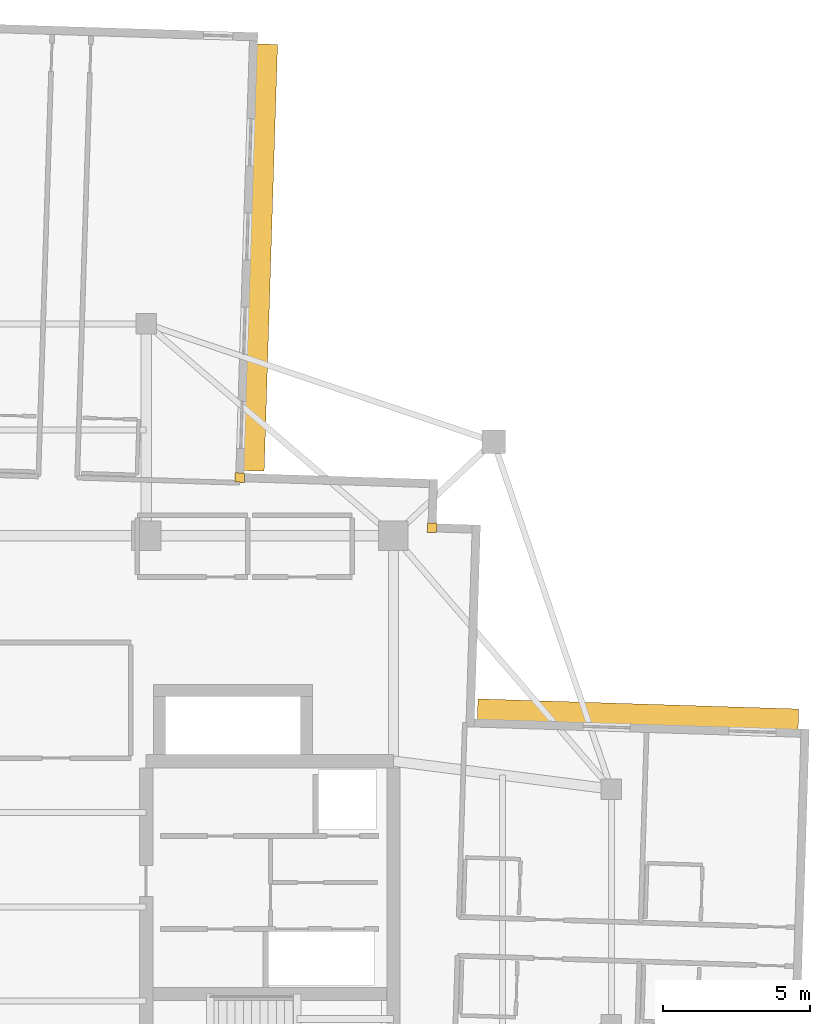
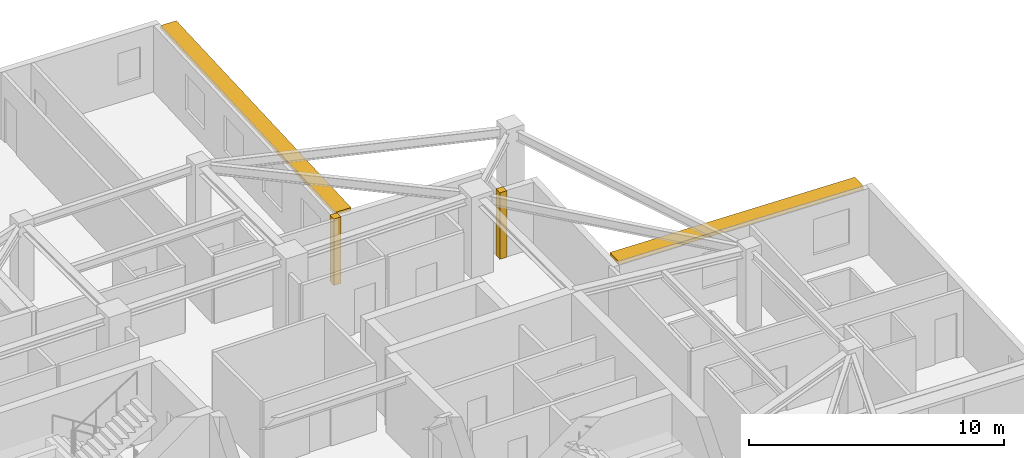
# One storey, part 13 of 13: 2 coverings, 2 shading devices.
"""IFC4 building model written with IfcOpenShell, lengths in metres."""

import ifcopenshell
import ifcopenshell.guid

model = None  # the IFC model being written
_history = None  # IfcOwnerHistory: only IFC2X3 demands one
_inside = {}  # id of a spatial element -> (the spatial element, [elements in it])
_under = {}  # id of a project, library or spatial element -> (it, [spatial elements below it])
_declared = {}  # id of a project -> (the project, [libraries it declares])
_typed = {}  # id of a type object -> (the type object, [elements of that type])
_made_of = {}  # id of a material, layer set ... -> (it, [elements and type objects made of it])


def new_model(schema):
    """Start an empty IFC model of exactly this schema.

    Asked for "IFC4X3", IfcOpenShell would pick the latest addendum, in which some entities
    have other attributes; the version numbers below select the first issue.
    IFC2X3 requires an IfcOwnerHistory on every rooted entity: one is made here for all.
    """
    global model, _history
    if schema == "IFC4X3":
        model = ifcopenshell.file(schema_version=(4, 3, 0, 0))
    else:
        model = ifcopenshell.file(schema=schema)
    _inside.clear()
    _under.clear()
    _declared.clear()
    _typed.clear()
    _made_of.clear()
    _history = None
    if model.schema == "IFC2X3":
        org = make("IfcOrganization", Name="unknown")
        user = make(
            "IfcPersonAndOrganization",
            ThePerson=make("IfcPerson", FamilyName="unknown"),
            TheOrganization=org,
        )
        app = make(
            "IfcApplication",
            ApplicationDeveloper=org,
            Version="unknown",
            ApplicationFullName="unknown",
            ApplicationIdentifier="unknown",
        )
        _history = make(
            "IfcOwnerHistory",
            OwningUser=user,
            OwningApplication=app,
            ChangeAction="ADDED",
            CreationDate=0,
        )
    return model


def make(cls, **values):
    """One entity of the class cls with the attributes given. An attribute that is None is left unset."""
    return model.create_entity(
        cls, **{name: value for name, value in values.items() if value is not None}
    )


def rooted(cls, **values):
    """An entity with a GlobalId (a new one), such as an element, a storey or a relation."""
    return make(cls, GlobalId=ifcopenshell.guid.new(), OwnerHistory=_history, **values)


def si_unit(unit_type, name, prefix=None):
    """IfcSIUnit, for example si_unit("LENGTHUNIT", "METRE", prefix="MILLI")."""
    return make("IfcSIUnit", UnitType=unit_type, Prefix=prefix, Name=name)


def assignment(units):
    """IfcUnitAssignment: the units of a project."""
    return None if units is None else make("IfcUnitAssignment", Units=units)


def point(xyz):
    """IfcCartesianPoint."""
    return None if xyz is None else make("IfcCartesianPoint", Coordinates=xyz)


def direction(xyz):
    """IfcDirection."""
    return None if xyz is None else make("IfcDirection", DirectionRatios=xyz)


def frame(location, z_axis=None, x_axis=None):
    """IfcAxis2Placement3D, a coordinate frame: its origin and axes. An axis left out is left unset."""
    return make(
        "IfcAxis2Placement3D",
        Location=point(location),
        Axis=direction(z_axis),
        RefDirection=direction(x_axis),
    )


def frame_2d(location, x_axis=None):
    """IfcAxis2Placement2D, a coordinate frame in the plane: its origin and x axis."""
    return make(
        "IfcAxis2Placement2D", Location=point(location), RefDirection=direction(x_axis)
    )


def origin():
    """The frame at (0, 0, 0) with its axes left unset."""
    return frame((0.0, 0.0, 0.0))


def origin_2d():
    """The frame at (0, 0) in the plane with its x axis left unset."""
    return frame_2d((0.0, 0.0))


def place(relative_to, where):
    """IfcLocalPlacement: puts the frame where relative to a parent placement (None: the world)."""
    return make(
        "IfcLocalPlacement", PlacementRelTo=relative_to, RelativePlacement=where
    )


def context(
    kind, dimensions, precision=None, world=None, true_north=None, identifier=None
):
    """IfcGeometricRepresentationContext, for example the 3D "Model" context."""
    return make(
        "IfcGeometricRepresentationContext",
        ContextIdentifier=identifier,
        ContextType=kind,
        CoordinateSpaceDimension=dimensions,
        Precision=precision,
        WorldCoordinateSystem=world,
        TrueNorth=true_north,
    )


def subcontext(parent, identifier, kind, view, scale=None):
    """IfcGeometricRepresentationSubContext, for example "Body" below "Model"."""
    return make(
        "IfcGeometricRepresentationSubContext",
        ContextIdentifier=identifier,
        ContextType=kind,
        ParentContext=parent,
        TargetScale=scale,
        TargetView=view,
    )


def project(units=None, contexts=None):
    """IfcProject with its units and contexts."""
    return rooted(
        "IfcProject",
        Name="project",
        RepresentationContexts=contexts,
        UnitsInContext=assignment(units),
    )


def spatial(cls, under=None, at=None, **own):
    """A site, building, storey or space (cls), placed at a placement, below another one or the project."""
    s = rooted(cls, ObjectPlacement=at, **own)
    if under is not None:
        _under.setdefault(under.id(), (under, []))[1].append(s)
    return s


def profile(cls, at=None, kind="AREA", **sizes):
    """A parametric profile (cls). Its sizes go by their IFC names, for example OverallWidth=200.0."""
    return make(cls, ProfileType=kind, Position=at, **sizes)


def rectangle(**sizes):
    """IfcRectangleProfileDef."""
    return profile("IfcRectangleProfileDef", **sizes)


def extrude(swept, where, along, depth):
    """IfcExtrudedAreaSolid: the profile swept, set in the frame where, extruded along a direction by depth."""
    return make(
        "IfcExtrudedAreaSolid",
        SweptArea=swept,
        Position=where,
        ExtrudedDirection=direction(along),
        Depth=depth,
    )


def shape(context_of_items, identifier, shape_type, items):
    """IfcShapeRepresentation: the items that make up one representation, for example the "Body"."""
    return make(
        "IfcShapeRepresentation",
        ContextOfItems=context_of_items,
        RepresentationIdentifier=identifier,
        RepresentationType=shape_type,
        Items=items,
    )


def material(Name=None, Category=None):
    """IfcMaterial."""
    return make("IfcMaterial", Name=Name, Category=Category)


def layer(
    of_material, thickness, ventilated=None, Name=None, Category=None, Priority=None
):
    """IfcMaterialLayer: one layer of a wall or slab, of a material (None: an air gap)."""
    return make(
        "IfcMaterialLayer",
        Material=of_material,
        LayerThickness=thickness,
        IsVentilated=ventilated,
        Name=Name,
        Category=Category,
        Priority=Priority,
    )


def layer_set(layers, Name=None):
    """IfcMaterialLayerSet."""
    return make("IfcMaterialLayerSet", MaterialLayers=layers, LayerSetName=Name)


def made_of(thing, what):
    """Note that an element or type object is made of a material, layer set ...; save() writes the relation."""
    if what is not None:
        _made_of.setdefault(what.id(), (what, []))[1].append(thing)
    return thing


def type_object(cls, material=None, **own):
    """A type object (cls), such as IfcWallType, which elements share."""
    return made_of(rooted(cls, **own), material)


def element(
    cls,
    number,
    at=None,
    inside=None,
    cuts=None,
    type_object=None,
    material=None,
    context=None,
    identifier="Body",
    shape_type=None,
    held_by="IfcProductDefinitionShape",
    body=None,
    shapes=None,
    **own,
):
    """One element of the class cls, such as IfcWall. Its Tag is "e" and its number.

    at: its placement. inside: the storey or other place that contains it. cuts: it is an
    opening in that element (IfcRelVoidsElement). A single representation is given by context,
    identifier, shape_type and body (its items); several are given by shapes. held_by: the class
    of the entity that holds the representations. save() writes the other relations.
    """
    e = rooted(cls, Tag="e%d" % number, ObjectPlacement=at, **own)
    if body is not None:
        shapes = [shape(context, identifier, shape_type, body)]
    if shapes is not None:
        e.Representation = make(held_by, Representations=shapes)
    if inside is not None:
        _inside.setdefault(inside.id(), (inside, []))[1].append(e)
    if cuts is not None:
        rooted(
            "IfcRelVoidsElement", RelatingBuildingElement=cuts, RelatedOpeningElement=e
        )
    if type_object is not None:
        _typed.setdefault(type_object.id(), (type_object, []))[1].append(e)
    return made_of(e, material)


def aggregate(whole, parts):
    """IfcRelAggregates: a whole, such as a stair, and the parts it consists of."""
    return rooted("IfcRelAggregates", RelatingObject=whole, RelatedObjects=parts)


def save(model, path):
    """Write the relations noted so far, then the file.

    IfcRelAggregates (storeys below a building ...), IfcRelContainedInSpatialStructure (elements
    in a storey), IfcRelDefinesByType, IfcRelAssociatesMaterial and IfcRelDeclares: one each for
    every whole, place, type object, material and project.
    """
    for whole, parts in _under.values():
        aggregate(whole, parts)
    for where, things in _inside.values():
        rooted(
            "IfcRelContainedInSpatialStructure",
            RelatedElements=things,
            RelatingStructure=where,
        )
    for kind, things in _typed.values():
        rooted("IfcRelDefinesByType", RelatedObjects=things, RelatingType=kind)
    for what, things in _made_of.values():
        rooted("IfcRelAssociatesMaterial", RelatedObjects=things, RelatingMaterial=what)
    for by, libraries in _declared.values():
        rooted("IfcRelDeclares", RelatingContext=by, RelatedDefinitions=libraries)
    model.write(path)


model = new_model("IFC4")

# Units and contexts
model_context = context("Model", 3, precision=1e-05, world=origin(), true_north=direction((0.0, 1.0)))
body_context = subcontext(model_context, "Body", "Model", "MODEL_VIEW")
ifc_project = project(units=[si_unit("LENGTHUNIT", "METRE"), si_unit("AREAUNIT", "SQUARE_METRE"), si_unit("VOLUMEUNIT", "CUBIC_METRE"), si_unit("PLANEANGLEUNIT", "RADIAN"), si_unit("MASSUNIT", "GRAM", prefix="KILO")], contexts=[model_context])

# Site, building, storey
site_placement = place(None, origin())
site = spatial("IfcSite", under=ifc_project, at=site_placement, CompositionType="ELEMENT")
building_placement = place(site_placement, origin())
building = spatial("IfcBuilding", under=site, at=building_placement, Name="Qingluan Cross Belvedere", CompositionType="ELEMENT")
storey_placement = place(building_placement, frame((0.0, 0.0, 257.699951171875)))
storey = spatial("IfcBuildingStorey", under=building, at=storey_placement, Name="L64", CompositionType="ELEMENT", Elevation=257.699951171875)

# Coverings
ifc_material_1 = material(Name="Precast concrete C45", Category="concrete")
ifc_layer_1 = layer(ifc_material_1, 0.1201171875, Name="ConcreteSpandrelCladding_120")
ifc_layer_set_1 = layer_set([ifc_layer_1], Name="Precast concrete C45")
covering_type = type_object("IfcCoveringType", Name="ConcreteSpandrelCladding_120", PredefinedType="CLADDING", material=ifc_layer_set_1)
for number, where, z_axis, x_axis, name in (
    (1, (13.711181640625, 12.875732421875, 0.0), (0.0, 0.0, 1.0), (0.999506560366, -0.031410759078, 0.0), "Corner closure L64-NE1"),
    (2, (7.181640625, 14.58154296875, 0.0), (0.0, 0.0, 1.0), (0.999506560366, -0.031410759078, 0.0), "Corner closure L64-NE2"),
):
    element("IfcCovering", number, at=place(storey_placement, frame(where, z_axis=z_axis, x_axis=x_axis)), inside=storey, type_object=covering_type, Name=name, PredefinedType="CLADDING", context=body_context, shape_type="SweptSolid", body=[
        extrude(rectangle(XDim=0.320068359375, YDim=0.320068359375, at=origin_2d()), origin(), (0.0, 0.0, 1.0), 3.179931640625),
    ])

# Shading devices
ifc_material_2 = material(Name="Precast concrete C45", Category="concrete")
ifc_layer_2 = layer(ifc_material_2, 0.139892578125, Name="ConcreteSunshadeBand_700")
ifc_layer_set_2 = layer_set([ifc_layer_2], Name="Precast concrete C45")
shading_device_type = type_object("IfcShadingDeviceType", Name="ConcreteSunshadeBand_700", PredefinedType="USERDEFINED", material=ifc_layer_set_2)
shading_device_1_placement = place(storey_placement, frame((20.705810546875, 6.542724609375, 3.0), z_axis=(0.0, 0.0, 1.0), x_axis=(-0.99950644357, 0.031414475353, 0.0)))
element("IfcShadingDevice", 3, at=shading_device_1_placement, inside=storey, type_object=shading_device_type, Name="Concrete SUNSHADE L64-EB", ObjectType="SUNSHADE", PredefinedType="USERDEFINED", context=body_context, shape_type="SweptSolid", body=[
    extrude(rectangle(XDim=10.89990234375, YDim=0.699951171875, at=origin_2d()), origin(), (0.0, 0.0, 1.0), 0.159912109375),
])
shading_device_2_placement = place(storey_placement, frame((7.88671875, 22.052978515625, 3.0), z_axis=(0.0, 0.0, 1.0), x_axis=(0.031408051437, 0.999506645453, 0.0)))
element("IfcShadingDevice", 4, at=shading_device_2_placement, inside=storey, type_object=shading_device_type, Name="Concrete SUNSHADE L64-NA", ObjectType="SUNSHADE", PredefinedType="USERDEFINED", context=body_context, shape_type="SweptSolid", body=[
    extrude(rectangle(XDim=14.5, YDim=0.699951171875, at=origin_2d()), origin(), (0.0, 0.0, 1.0), 0.159912109375),
])

save(model, "model.ifc")
